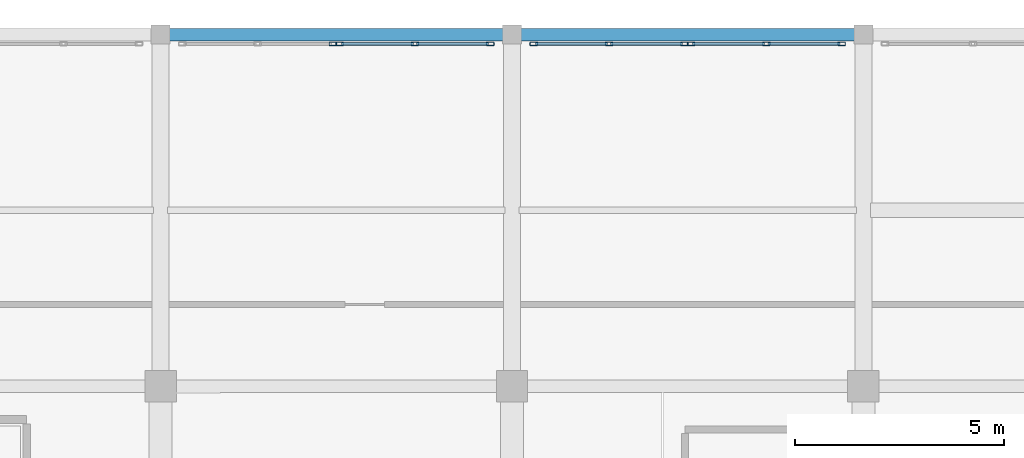
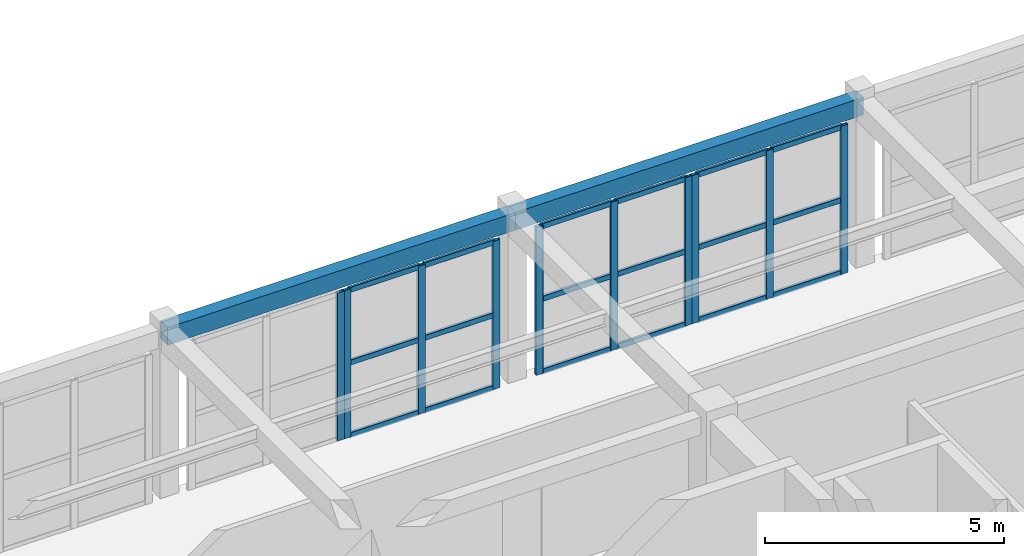
# One storey, part 48 of 91: 28 members, 2 beams, 4 elements without a shape of their own.
"""IFC4 building model written with IfcOpenShell, lengths in metres."""

from ifc_helpers import new_model, si_unit, direction, frame, origin, origin_2d, place, context, subcontext, project, spatial, rectangle, hollow_rectangle, extrude, material, layer, layer_set, material_profile, profile_set, type_object, element, aggregate, save


model = new_model("IFC4")

# Units and contexts
model_context = context("Model", 3, precision=1e-05, world=origin(), true_north=direction((0.0, 1.0)))
body_context = subcontext(model_context, "Body", "Model", "MODEL_VIEW")
ifc_project = project(units=[si_unit("LENGTHUNIT", "METRE"), si_unit("AREAUNIT", "SQUARE_METRE"), si_unit("VOLUMEUNIT", "CUBIC_METRE"), si_unit("PLANEANGLEUNIT", "RADIAN"), si_unit("MASSUNIT", "GRAM", prefix="KILO")], contexts=[model_context])

# Site, building, storey
site_placement = place(None, origin())
site = spatial("IfcSite", under=ifc_project, at=site_placement, CompositionType="ELEMENT")
building_placement = place(site_placement, origin())
building = spatial("IfcBuilding", under=site, at=building_placement, Name="Tarnavel Promenade Courthouse", CompositionType="ELEMENT")
storey_placement = place(building_placement, frame((0.0, 0.0, 9.89990234375)))
storey = spatial("IfcBuildingStorey", under=building, at=storey_placement, Name="L03", CompositionType="ELEMENT", Elevation=9.89990234375)

# Beams
ifc_material_1 = material(Name="Concrete C40/50", Category="concrete")
ifc_material_profile_1 = material_profile(ifc_material_1, rectangle(XDim=0.300048828125, YDim=0.449951171875, at=origin_2d()), Name="RC 300x450")
ifc_profile_set_1 = profile_set([ifc_material_profile_1], Name="Concrete C40/50")
beam_type = type_object("IfcBeamType", Name="Concrete C40/50 BM-SP-300x450 (RC 300x450)", PredefinedType="SPANDREL", material=ifc_profile_set_1)
for number, where, z_axis, x_axis, name in (
    (1, (75.60009765625, 112.800048828125, 4.02001953125), (1.0, 0.0, 0.0), (0.0, 1.0, 0.0), "L03 Primary Longitudinal Beam 1679"),
    (2, (84.0, 112.800048828125, 4.02001953125), (1.0, 0.0, 0.0), (0.0, 1.0, 0.0), "L03 Primary Longitudinal Beam 1680"),
):
    element("IfcBeam", number, at=place(storey_placement, frame(where, z_axis=z_axis, x_axis=x_axis)), inside=storey, type_object=beam_type, Name=name, PredefinedType="SPANDREL", context=body_context, shape_type="SweptSolid", body=[
        extrude(rectangle(XDim=0.300048828125, YDim=0.449951171875, at=origin_2d()), origin(), (0.0, 0.0, 1.0), 8.39990234375),
    ])

# Curtain wall, member
ifc_material_2 = material(Name="Thermally Broken Anodised Aluminium Curtain Wall System", Category="aluminium")
ifc_layer = layer(ifc_material_2, 0.199951171875)
ifc_layer_set = layer_set([ifc_layer], Name="Thermally Broken Anodised Aluminium Curtain Wall System")
curtain_wall_type = type_object("IfcCurtainWallType", Name="Thermally Broken Aluminium Triple-Glazed Curtain Wall CW-FOYER", PredefinedType="NOTDEFINED", material=ifc_layer_set)
curtain_wall_1_placement = place(storey_placement, origin())
curtain_wall_1 = element("IfcCurtainWall", 3, at=curtain_wall_1_placement, inside=storey, type_object=curtain_wall_type, Name="L03 North Foyer Curtain Wall A 144", PredefinedType="NOTDEFINED")
ifc_material_3 = material(Name="Thermally Broken Anodised Aluminium Frame", Category="aluminium")
ifc_material_profile_2 = material_profile(ifc_material_3, hollow_rectangle(XDim=0.080078125, YDim=0.179931640625, WallThickness=0.0048828125, InnerFilletRadius=0.0048828125, OuterFilletRadius=0.010009765625, at=origin_2d()), Name="CWM 180x80x5")
ifc_profile_set_2 = profile_set([ifc_material_profile_2], Name="Thermally Broken Anodised Aluminium Frame")
member_type_1 = type_object("IfcMemberType", Name="Thermally Broken Anodised Aluminium CWM-155 (CWM 180x80x5)", PredefinedType="MULLION", material=ifc_profile_set_2)
member_1_placement = place(storey_placement, frame((79.719970703125, 112.580078125, 0.0), z_axis=(0.0, 0.0, 1.0), x_axis=(0.0, 1.0, 0.0)))
member_1 = element("IfcMember", 4, at=member_1_placement, type_object=member_type_1, Name="CW-04 mullion 3", PredefinedType="MULLION", context=body_context, shape_type="SweptSolid", body=[
    extrude(hollow_rectangle(XDim=0.080078125, YDim=0.179931640625, WallThickness=0.0048828125, InnerFilletRadius=0.0048828125, OuterFilletRadius=0.010009765625, at=origin_2d()), origin(), (0.0, 0.0, 1.0), 3.780029296875),
])
aggregate(curtain_wall_1, [member_1])

# Curtain wall, members
curtain_wall_2_placement = place(storey_placement, origin())
curtain_wall_2 = element("IfcCurtainWall", 5, at=curtain_wall_2_placement, inside=storey, type_object=curtain_wall_type, Name="L03 North Foyer Curtain Wall B 145", PredefinedType="NOTDEFINED")
member_2_placement = place(storey_placement, frame((79.8798828125, 112.580078125, 0.0), z_axis=(0.0, 0.0, 1.0), x_axis=(0.0, 1.0, 0.0)))
member_2 = element("IfcMember", 6, at=member_2_placement, type_object=member_type_1, Name="CW-04 mullion 1", PredefinedType="MULLION", context=body_context, shape_type="SweptSolid", body=[
    extrude(hollow_rectangle(XDim=0.080078125, YDim=0.179931640625, WallThickness=0.0048828125, InnerFilletRadius=0.0048828125, OuterFilletRadius=0.010009765625, at=origin_2d()), origin(), (0.0, 0.0, 1.0), 3.780029296875),
])
member_3_placement = place(storey_placement, frame((81.679931640625, 112.580078125, 0.0), z_axis=(0.0, 0.0, 1.0), x_axis=(0.0, 1.0, 0.0)))
member_3 = element("IfcMember", 7, at=member_3_placement, type_object=member_type_1, Name="CW-04 mullion 2", PredefinedType="MULLION", context=body_context, shape_type="SweptSolid", body=[
    extrude(hollow_rectangle(XDim=0.080078125, YDim=0.179931640625, WallThickness=0.0048828125, InnerFilletRadius=0.0048828125, OuterFilletRadius=0.010009765625, at=origin_2d()), origin(), (0.0, 0.0, 1.0), 3.780029296875),
])
member_4_placement = place(storey_placement, frame((83.47998046875, 112.580078125, 0.0), z_axis=(0.0, 0.0, 1.0), x_axis=(0.0, 1.0, 0.0)))
member_4 = element("IfcMember", 8, at=member_4_placement, type_object=member_type_1, Name="CW-04 mullion 3", PredefinedType="MULLION", context=body_context, shape_type="SweptSolid", body=[
    extrude(hollow_rectangle(XDim=0.080078125, YDim=0.179931640625, WallThickness=0.0048828125, InnerFilletRadius=0.0048828125, OuterFilletRadius=0.010009765625, at=origin_2d()), origin(), (0.0, 0.0, 1.0), 3.780029296875),
])

curtain_wall_3_placement = place(storey_placement, origin())
curtain_wall_3 = element("IfcCurtainWall", 9, at=curtain_wall_3_placement, inside=storey, type_object=curtain_wall_type, Name="L03 North Foyer Curtain Wall A 146", PredefinedType="NOTDEFINED")
member_5_placement = place(storey_placement, frame((84.52001953125, 112.580078125, 0.0), z_axis=(0.0, 0.0, 1.0), x_axis=(0.0, 1.0, 0.0)))
member_5 = element("IfcMember", 10, at=member_5_placement, type_object=member_type_1, Name="CW-04 mullion 1", PredefinedType="MULLION", context=body_context, shape_type="SweptSolid", body=[
    extrude(hollow_rectangle(XDim=0.080078125, YDim=0.179931640625, WallThickness=0.0048828125, InnerFilletRadius=0.0048828125, OuterFilletRadius=0.010009765625, at=origin_2d()), origin(), (0.0, 0.0, 1.0), 3.780029296875),
])
member_6_placement = place(storey_placement, frame((86.320068359375, 112.580078125, 0.0), z_axis=(0.0, 0.0, 1.0), x_axis=(0.0, 1.0, 0.0)))
member_6 = element("IfcMember", 11, at=member_6_placement, type_object=member_type_1, Name="CW-04 mullion 2", PredefinedType="MULLION", context=body_context, shape_type="SweptSolid", body=[
    extrude(hollow_rectangle(XDim=0.080078125, YDim=0.179931640625, WallThickness=0.0048828125, InnerFilletRadius=0.0048828125, OuterFilletRadius=0.010009765625, at=origin_2d()), origin(), (0.0, 0.0, 1.0), 3.780029296875),
])
member_7_placement = place(storey_placement, frame((88.1201171875, 112.580078125, 0.0), z_axis=(0.0, 0.0, 1.0), x_axis=(0.0, 1.0, 0.0)))
member_7 = element("IfcMember", 12, at=member_7_placement, type_object=member_type_1, Name="CW-04 mullion 3", PredefinedType="MULLION", context=body_context, shape_type="SweptSolid", body=[
    extrude(hollow_rectangle(XDim=0.080078125, YDim=0.179931640625, WallThickness=0.0048828125, InnerFilletRadius=0.0048828125, OuterFilletRadius=0.010009765625, at=origin_2d()), origin(), (0.0, 0.0, 1.0), 3.780029296875),
])

curtain_wall_4_placement = place(storey_placement, origin())
curtain_wall_4 = element("IfcCurtainWall", 13, at=curtain_wall_4_placement, inside=storey, type_object=curtain_wall_type, Name="L03 North Foyer Curtain Wall B 147", PredefinedType="NOTDEFINED")
member_8_placement = place(storey_placement, frame((88.280029296875, 112.580078125, 0.0), z_axis=(0.0, 0.0, 1.0), x_axis=(0.0, 1.0, 0.0)))
member_8 = element("IfcMember", 14, at=member_8_placement, type_object=member_type_1, Name="CW-04 mullion 1", PredefinedType="MULLION", context=body_context, shape_type="SweptSolid", body=[
    extrude(hollow_rectangle(XDim=0.080078125, YDim=0.179931640625, WallThickness=0.0048828125, InnerFilletRadius=0.0048828125, OuterFilletRadius=0.010009765625, at=origin_2d()), origin(), (0.0, 0.0, 1.0), 3.780029296875),
])
member_9_placement = place(storey_placement, frame((90.080078125, 112.580078125, 0.0), z_axis=(0.0, 0.0, 1.0), x_axis=(0.0, 1.0, 0.0)))
member_9 = element("IfcMember", 15, at=member_9_placement, type_object=member_type_1, Name="CW-04 mullion 2", PredefinedType="MULLION", context=body_context, shape_type="SweptSolid", body=[
    extrude(hollow_rectangle(XDim=0.080078125, YDim=0.179931640625, WallThickness=0.0048828125, InnerFilletRadius=0.0048828125, OuterFilletRadius=0.010009765625, at=origin_2d()), origin(), (0.0, 0.0, 1.0), 3.780029296875),
])
member_10_placement = place(storey_placement, frame((91.8798828125, 112.580078125, 0.0), z_axis=(0.0, 0.0, 1.0), x_axis=(0.0, 1.0, 0.0)))
member_10 = element("IfcMember", 16, at=member_10_placement, type_object=member_type_1, Name="CW-04 mullion 3", PredefinedType="MULLION", context=body_context, shape_type="SweptSolid", body=[
    extrude(hollow_rectangle(XDim=0.080078125, YDim=0.179931640625, WallThickness=0.0048828125, InnerFilletRadius=0.0048828125, OuterFilletRadius=0.010009765625, at=origin_2d()), origin(), (0.0, 0.0, 1.0), 3.780029296875),
])

# Member
ifc_material_profile_3 = material_profile(ifc_material_3, hollow_rectangle(XDim=0.070068359375, YDim=0.139892578125, WallThickness=0.0048828125, InnerFilletRadius=0.0048828125, OuterFilletRadius=0.010009765625, at=origin_2d()), Name="CWT 140x70x5")
ifc_profile_set_3 = profile_set([ifc_material_profile_3], Name="Thermally Broken Anodised Aluminium Frame")
member_type_2 = type_object("IfcMemberType", Name="Thermally Broken Anodised Aluminium CWT-125 (CWT 140x70x5)", PredefinedType="USERDEFINED", material=ifc_profile_set_3)
member_11_placement = place(storey_placement, frame((79.919921875, 112.580078125, 0.03515625), z_axis=(1.0, 0.0, 0.0), x_axis=(0.0, 1.0, 0.0)))
member_11 = element("IfcMember", 17, at=member_11_placement, type_object=member_type_2, Name="CW-04 transom 1.1", ObjectType="TRANSOM", PredefinedType="USERDEFINED", context=body_context, shape_type="SweptSolid", body=[
    extrude(hollow_rectangle(XDim=0.070068359375, YDim=0.139892578125, WallThickness=0.0048828125, InnerFilletRadius=0.0048828125, OuterFilletRadius=0.010009765625, at=origin_2d()), origin(), (0.0, 0.0, 1.0), 1.719970703125),
])

member_12_placement = place(storey_placement, frame((79.919921875, 112.580078125, 1.89013671875), z_axis=(1.0, 0.0, 0.0), x_axis=(0.0, 1.0, 0.0)))
member_12 = element("IfcMember", 18, at=member_12_placement, type_object=member_type_2, Name="CW-04 transom 1.2", ObjectType="TRANSOM", PredefinedType="USERDEFINED", context=body_context, shape_type="SweptSolid", body=[
    extrude(hollow_rectangle(XDim=0.070068359375, YDim=0.139892578125, WallThickness=0.0048828125, InnerFilletRadius=0.0048828125, OuterFilletRadius=0.010009765625, at=origin_2d()), origin(), (0.0, 0.0, 1.0), 1.719970703125),
])

member_13_placement = place(storey_placement, frame((79.919921875, 112.580078125, 3.7451171875), z_axis=(1.0, 0.0, 0.0), x_axis=(0.0, 1.0, 0.0)))
member_13 = element("IfcMember", 19, at=member_13_placement, type_object=member_type_2, Name="CW-04 transom 1.3", ObjectType="TRANSOM", PredefinedType="USERDEFINED", context=body_context, shape_type="SweptSolid", body=[
    extrude(hollow_rectangle(XDim=0.070068359375, YDim=0.139892578125, WallThickness=0.0048828125, InnerFilletRadius=0.0048828125, OuterFilletRadius=0.010009765625, at=origin_2d()), origin(), (0.0, 0.0, 1.0), 1.719970703125),
])

member_14_placement = place(storey_placement, frame((81.719970703125, 112.580078125, 0.03515625), z_axis=(1.0, 0.0, 0.0), x_axis=(0.0, 1.0, 0.0)))
member_14 = element("IfcMember", 20, at=member_14_placement, type_object=member_type_2, Name="CW-04 transom 2.1", ObjectType="TRANSOM", PredefinedType="USERDEFINED", context=body_context, shape_type="SweptSolid", body=[
    extrude(hollow_rectangle(XDim=0.070068359375, YDim=0.139892578125, WallThickness=0.0048828125, InnerFilletRadius=0.0048828125, OuterFilletRadius=0.010009765625, at=origin_2d()), origin(), (0.0, 0.0, 1.0), 1.719970703125),
])

member_15_placement = place(storey_placement, frame((81.719970703125, 112.580078125, 1.89013671875), z_axis=(1.0, 0.0, 0.0), x_axis=(0.0, 1.0, 0.0)))
member_15 = element("IfcMember", 21, at=member_15_placement, type_object=member_type_2, Name="CW-04 transom 2.2", ObjectType="TRANSOM", PredefinedType="USERDEFINED", context=body_context, shape_type="SweptSolid", body=[
    extrude(hollow_rectangle(XDim=0.070068359375, YDim=0.139892578125, WallThickness=0.0048828125, InnerFilletRadius=0.0048828125, OuterFilletRadius=0.010009765625, at=origin_2d()), origin(), (0.0, 0.0, 1.0), 1.719970703125),
])

member_16_placement = place(storey_placement, frame((81.719970703125, 112.580078125, 3.7451171875), z_axis=(1.0, 0.0, 0.0), x_axis=(0.0, 1.0, 0.0)))
member_16 = element("IfcMember", 22, at=member_16_placement, type_object=member_type_2, Name="CW-04 transom 2.3", ObjectType="TRANSOM", PredefinedType="USERDEFINED", context=body_context, shape_type="SweptSolid", body=[
    extrude(hollow_rectangle(XDim=0.070068359375, YDim=0.139892578125, WallThickness=0.0048828125, InnerFilletRadius=0.0048828125, OuterFilletRadius=0.010009765625, at=origin_2d()), origin(), (0.0, 0.0, 1.0), 1.719970703125),
])

aggregate(curtain_wall_2, [member_2, member_3, member_4, member_11, member_12, member_13, member_14, member_15, member_16])

member_17_placement = place(storey_placement, frame((84.56005859375, 112.580078125, 0.03515625), z_axis=(1.0, 0.0, 0.0), x_axis=(0.0, 1.0, 0.0)))
member_17 = element("IfcMember", 23, at=member_17_placement, type_object=member_type_2, Name="CW-04 transom 1.1", ObjectType="TRANSOM", PredefinedType="USERDEFINED", context=body_context, shape_type="SweptSolid", body=[
    extrude(hollow_rectangle(XDim=0.070068359375, YDim=0.139892578125, WallThickness=0.0048828125, InnerFilletRadius=0.0048828125, OuterFilletRadius=0.010009765625, at=origin_2d()), origin(), (0.0, 0.0, 1.0), 1.719970703125),
])

member_18_placement = place(storey_placement, frame((84.56005859375, 112.580078125, 1.89013671875), z_axis=(1.0, 0.0, 0.0), x_axis=(0.0, 1.0, 0.0)))
member_18 = element("IfcMember", 24, at=member_18_placement, type_object=member_type_2, Name="CW-04 transom 1.2", ObjectType="TRANSOM", PredefinedType="USERDEFINED", context=body_context, shape_type="SweptSolid", body=[
    extrude(hollow_rectangle(XDim=0.070068359375, YDim=0.139892578125, WallThickness=0.0048828125, InnerFilletRadius=0.0048828125, OuterFilletRadius=0.010009765625, at=origin_2d()), origin(), (0.0, 0.0, 1.0), 1.719970703125),
])

member_19_placement = place(storey_placement, frame((84.56005859375, 112.580078125, 3.7451171875), z_axis=(1.0, 0.0, 0.0), x_axis=(0.0, 1.0, 0.0)))
member_19 = element("IfcMember", 25, at=member_19_placement, type_object=member_type_2, Name="CW-04 transom 1.3", ObjectType="TRANSOM", PredefinedType="USERDEFINED", context=body_context, shape_type="SweptSolid", body=[
    extrude(hollow_rectangle(XDim=0.070068359375, YDim=0.139892578125, WallThickness=0.0048828125, InnerFilletRadius=0.0048828125, OuterFilletRadius=0.010009765625, at=origin_2d()), origin(), (0.0, 0.0, 1.0), 1.719970703125),
])

member_20_placement = place(storey_placement, frame((86.360107421875, 112.580078125, 0.03515625), z_axis=(1.0, 0.0, 0.0), x_axis=(0.0, 1.0, 0.0)))
member_20 = element("IfcMember", 26, at=member_20_placement, type_object=member_type_2, Name="CW-04 transom 2.1", ObjectType="TRANSOM", PredefinedType="USERDEFINED", context=body_context, shape_type="SweptSolid", body=[
    extrude(hollow_rectangle(XDim=0.070068359375, YDim=0.139892578125, WallThickness=0.0048828125, InnerFilletRadius=0.0048828125, OuterFilletRadius=0.010009765625, at=origin_2d()), origin(), (0.0, 0.0, 1.0), 1.719970703125),
])

member_21_placement = place(storey_placement, frame((86.360107421875, 112.580078125, 1.89013671875), z_axis=(1.0, 0.0, 0.0), x_axis=(0.0, 1.0, 0.0)))
member_21 = element("IfcMember", 27, at=member_21_placement, type_object=member_type_2, Name="CW-04 transom 2.2", ObjectType="TRANSOM", PredefinedType="USERDEFINED", context=body_context, shape_type="SweptSolid", body=[
    extrude(hollow_rectangle(XDim=0.070068359375, YDim=0.139892578125, WallThickness=0.0048828125, InnerFilletRadius=0.0048828125, OuterFilletRadius=0.010009765625, at=origin_2d()), origin(), (0.0, 0.0, 1.0), 1.719970703125),
])

member_22_placement = place(storey_placement, frame((86.360107421875, 112.580078125, 3.7451171875), z_axis=(1.0, 0.0, 0.0), x_axis=(0.0, 1.0, 0.0)))
member_22 = element("IfcMember", 28, at=member_22_placement, type_object=member_type_2, Name="CW-04 transom 2.3", ObjectType="TRANSOM", PredefinedType="USERDEFINED", context=body_context, shape_type="SweptSolid", body=[
    extrude(hollow_rectangle(XDim=0.070068359375, YDim=0.139892578125, WallThickness=0.0048828125, InnerFilletRadius=0.0048828125, OuterFilletRadius=0.010009765625, at=origin_2d()), origin(), (0.0, 0.0, 1.0), 1.719970703125),
])

aggregate(curtain_wall_3, [member_5, member_6, member_7, member_17, member_18, member_19, member_20, member_21, member_22])

member_23_placement = place(storey_placement, frame((88.320068359375, 112.580078125, 0.03515625), z_axis=(1.0, 0.0, 0.0), x_axis=(0.0, 1.0, 0.0)))
member_23 = element("IfcMember", 29, at=member_23_placement, type_object=member_type_2, Name="CW-04 transom 1.1", ObjectType="TRANSOM", PredefinedType="USERDEFINED", context=body_context, shape_type="SweptSolid", body=[
    extrude(hollow_rectangle(XDim=0.070068359375, YDim=0.139892578125, WallThickness=0.0048828125, InnerFilletRadius=0.0048828125, OuterFilletRadius=0.010009765625, at=origin_2d()), origin(), (0.0, 0.0, 1.0), 1.719970703125),
])

member_24_placement = place(storey_placement, frame((88.320068359375, 112.580078125, 1.89013671875), z_axis=(1.0, 0.0, 0.0), x_axis=(0.0, 1.0, 0.0)))
member_24 = element("IfcMember", 30, at=member_24_placement, type_object=member_type_2, Name="CW-04 transom 1.2", ObjectType="TRANSOM", PredefinedType="USERDEFINED", context=body_context, shape_type="SweptSolid", body=[
    extrude(hollow_rectangle(XDim=0.070068359375, YDim=0.139892578125, WallThickness=0.0048828125, InnerFilletRadius=0.0048828125, OuterFilletRadius=0.010009765625, at=origin_2d()), origin(), (0.0, 0.0, 1.0), 1.719970703125),
])

member_25_placement = place(storey_placement, frame((88.320068359375, 112.580078125, 3.7451171875), z_axis=(1.0, 0.0, 0.0), x_axis=(0.0, 1.0, 0.0)))
member_25 = element("IfcMember", 31, at=member_25_placement, type_object=member_type_2, Name="CW-04 transom 1.3", ObjectType="TRANSOM", PredefinedType="USERDEFINED", context=body_context, shape_type="SweptSolid", body=[
    extrude(hollow_rectangle(XDim=0.070068359375, YDim=0.139892578125, WallThickness=0.0048828125, InnerFilletRadius=0.0048828125, OuterFilletRadius=0.010009765625, at=origin_2d()), origin(), (0.0, 0.0, 1.0), 1.719970703125),
])

member_26_placement = place(storey_placement, frame((90.1201171875, 112.580078125, 0.03515625), z_axis=(1.0, 0.0, 0.0), x_axis=(0.0, 1.0, 0.0)))
member_26 = element("IfcMember", 32, at=member_26_placement, type_object=member_type_2, Name="CW-04 transom 2.1", ObjectType="TRANSOM", PredefinedType="USERDEFINED", context=body_context, shape_type="SweptSolid", body=[
    extrude(hollow_rectangle(XDim=0.070068359375, YDim=0.139892578125, WallThickness=0.0048828125, InnerFilletRadius=0.0048828125, OuterFilletRadius=0.010009765625, at=origin_2d()), origin(), (0.0, 0.0, 1.0), 1.719970703125),
])

member_27_placement = place(storey_placement, frame((90.1201171875, 112.580078125, 1.89013671875), z_axis=(1.0, 0.0, 0.0), x_axis=(0.0, 1.0, 0.0)))
member_27 = element("IfcMember", 33, at=member_27_placement, type_object=member_type_2, Name="CW-04 transom 2.2", ObjectType="TRANSOM", PredefinedType="USERDEFINED", context=body_context, shape_type="SweptSolid", body=[
    extrude(hollow_rectangle(XDim=0.070068359375, YDim=0.139892578125, WallThickness=0.0048828125, InnerFilletRadius=0.0048828125, OuterFilletRadius=0.010009765625, at=origin_2d()), origin(), (0.0, 0.0, 1.0), 1.719970703125),
])

member_28_placement = place(storey_placement, frame((90.1201171875, 112.580078125, 3.7451171875), z_axis=(1.0, 0.0, 0.0), x_axis=(0.0, 1.0, 0.0)))
member_28 = element("IfcMember", 34, at=member_28_placement, type_object=member_type_2, Name="CW-04 transom 2.3", ObjectType="TRANSOM", PredefinedType="USERDEFINED", context=body_context, shape_type="SweptSolid", body=[
    extrude(hollow_rectangle(XDim=0.070068359375, YDim=0.139892578125, WallThickness=0.0048828125, InnerFilletRadius=0.0048828125, OuterFilletRadius=0.010009765625, at=origin_2d()), origin(), (0.0, 0.0, 1.0), 1.719970703125),
])

aggregate(curtain_wall_4, [member_8, member_9, member_10, member_23, member_24, member_25, member_26, member_27, member_28])

save(model, "model.ifc")
